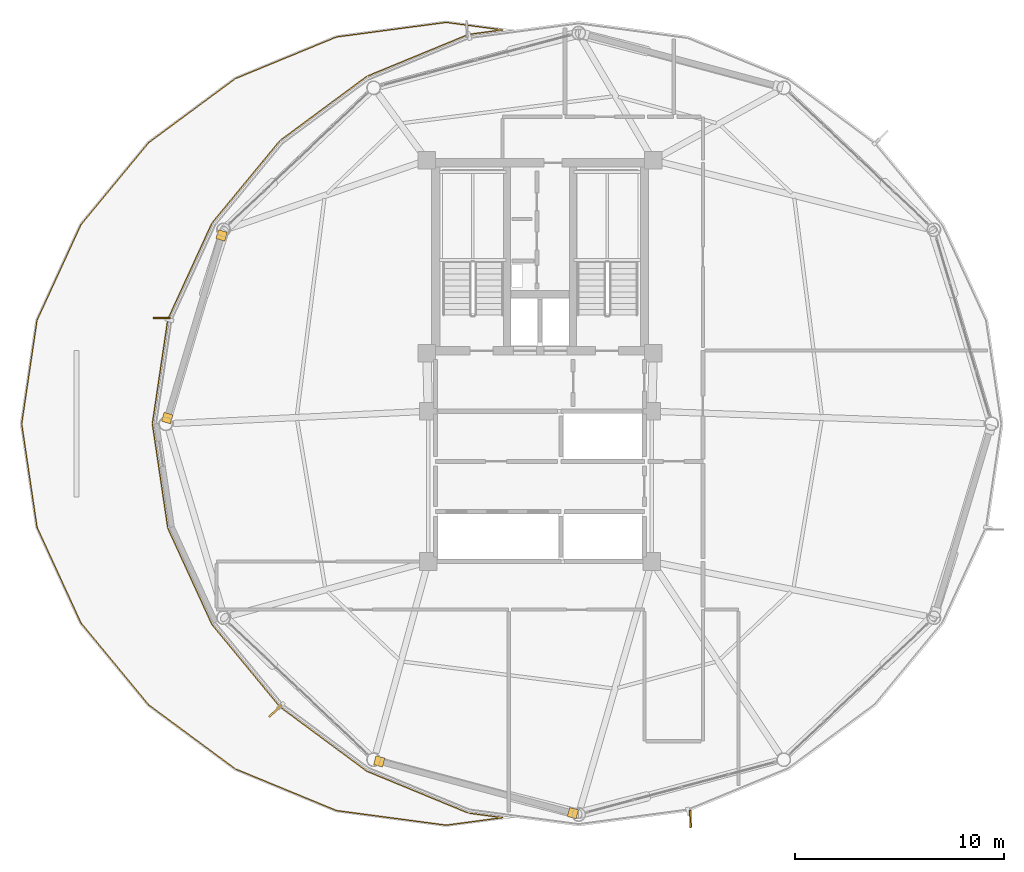
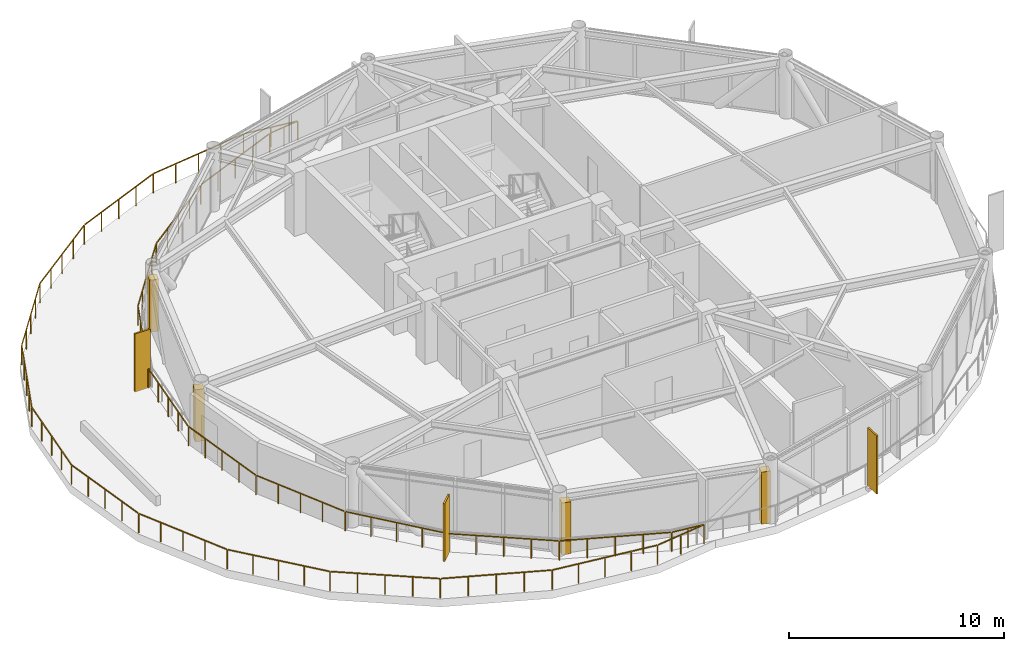
# One storey, part 22 of 25: 4 coverings, 3 shading devices, 1 railing.
"""IFC4 building model written with IfcOpenShell, lengths in metres."""

from ifc_helpers import new_model, si_unit, direction, frame, origin, origin_2d, place, context, subcontext, project, spatial, rectangle, extrude, source, transform, mapped, material, layer, layer_set, type_object, type_shapes, element, save


model = new_model("IFC4")

# Units and contexts
model_context = context("Model", 3, precision=1e-05, world=origin(), true_north=direction((0.0, 1.0)))
body_context = subcontext(model_context, "Body", "Model", "MODEL_VIEW")
ifc_project = project(units=[si_unit("LENGTHUNIT", "METRE"), si_unit("AREAUNIT", "SQUARE_METRE"), si_unit("VOLUMEUNIT", "CUBIC_METRE"), si_unit("PLANEANGLEUNIT", "RADIAN"), si_unit("MASSUNIT", "GRAM", prefix="KILO")], contexts=[model_context])

# Site, building, storey
site_placement = place(None, origin())
site = spatial("IfcSite", under=ifc_project, at=site_placement, CompositionType="ELEMENT")
building_placement = place(site_placement, origin())
building = spatial("IfcBuilding", under=site, at=building_placement, Name="Varnakorn Sky Granary", CompositionType="ELEMENT")
storey_placement = place(building_placement, frame((0.0, 0.0, 178.800048828125)))
storey = spatial("IfcBuildingStorey", under=building, at=storey_placement, Name="L44", CompositionType="ELEMENT", Elevation=178.800048828125)

# Railing
ifc_material = material(Name="Anodised Bronze Aluminium Alloy 6063-T6", Category="aluminium")
railing_type = type_object("IfcRailingType", Name="RL-BAL-1120", PredefinedType="BALUSTRADE", material=ifc_material)
railing_placement = place(storey_placement, frame((-1.5, -19.21923828125, 0.0)))
element("IfcRailing", 1, at=railing_placement, inside=storey, type_object=railing_type, Name="Shifted-Drum Sky-Garden Guard Balustrade L44", PredefinedType="BALUSTRADE", context=body_context, shape_type="SweptSolid", body=[
    extrude(rectangle(XDim=0.048095703125, YDim=0.048095703125, at=origin_2d()), frame((-0.02783203125, 0.003662109375, 1.09619140625), z_axis=(-0.991263309546, 0.131897881516, 0.0), x_axis=(-0.131897881516, -0.991263309546, 0.0)), (0.0, 0.0, 1.0), 5.23779296875),
    extrude(rectangle(XDim=0.048095703125, YDim=0.048095703125, at=origin_2d()), frame((-5.2734375, 0.708984375, 1.09619140625), z_axis=(-0.924764922521, 0.380538878532, 0.0), x_axis=(-0.380538878532, -0.924764922521, 0.0)), (0.0, 0.0, 1.0), 5.18359375),
    extrude(rectangle(XDim=0.048095703125, YDim=0.048095703125, at=origin_2d()), frame((-10.115478515625, 2.708740234375, 1.09619140625), z_axis=(-0.80427841509, 0.594252665977, 0.0), x_axis=(-0.594252665977, -0.80427841509, 0.0)), (0.0, 0.0, 1.0), 5.102783203125),
    extrude(rectangle(XDim=0.048095703125, YDim=0.048095703125, at=origin_2d()), frame((-14.260009765625, 5.779296875, 1.09619140625), z_axis=(-0.636845477027, 0.770991464538, 0.0), x_axis=(-0.770991464538, -0.636845477027, 0.0)), (0.0, 0.0, 1.0), 5.03076171875),
    extrude(rectangle(XDim=0.048095703125, YDim=0.048095703125, at=origin_2d()), frame((-17.493408203125, 9.705078125, 1.09619140625), z_axis=(-0.417253609844, 0.908790088564, 0.0), x_axis=(-0.908790088564, -0.417253609844, 0.0)), (0.0, 0.0, 1.0), 4.982421875),
    extrude(rectangle(XDim=0.048095703125, YDim=0.048095703125, at=origin_2d()), frame((-19.588134765625, 14.2861328125, 1.09619140625), z_axis=(-0.146585712647, 0.989197972525, 0.0), x_axis=(-0.989197972525, -0.146585712647, 0.0)), (0.0, 0.0, 1.0), 4.958984375),
    extrude(rectangle(XDim=0.048095703125, YDim=0.048095703125, at=origin_2d()), frame((-20.31494140625, 19.246826171875, 1.09619140625), z_axis=(0.146585712647, 0.989197972525, 0.0), x_axis=(-0.989197972525, 0.146585712647, 0.0)), (0.0, 0.0, 1.0), 4.958984375),
    extrude(rectangle(XDim=0.048095703125, YDim=0.048095703125, at=origin_2d()), frame((-19.572265625, 24.205322265625, 1.09619140625), z_axis=(0.417253609844, 0.908790088564, 0.0), x_axis=(-0.908790088564, 0.417253609844, 0.0)), (0.0, 0.0, 1.0), 4.982421875),
    extrude(rectangle(XDim=0.048095703125, YDim=0.048095703125, at=origin_2d()), frame((-17.4638671875, 28.7802734375, 1.09619140625), z_axis=(0.636845477027, 0.770991464538, 0.0), x_axis=(-0.770991464538, 0.636845477027, 0.0)), (0.0, 0.0, 1.0), 5.03076171875),
    extrude(rectangle(XDim=0.048095703125, YDim=0.048095703125, at=origin_2d()), frame((-14.2197265625, 32.697265625, 1.09619140625), z_axis=(0.80427841509, 0.594252665977, 0.0), x_axis=(-0.594252665977, 0.80427841509, 0.0)), (0.0, 0.0, 1.0), 5.102783203125),
    extrude(rectangle(XDim=0.048095703125, YDim=0.048095703125, at=origin_2d()), frame((-10.067138671875, 35.757080078125, 1.09619140625), z_axis=(0.924764922521, 0.380538878532, 0.0), x_axis=(-0.380538878532, 0.924764922521, 0.0)), (0.0, 0.0, 1.0), 5.18359375),
    extrude(rectangle(XDim=0.048095703125, YDim=0.048095703125, at=origin_2d()), frame((-5.2197265625, 37.743896484375, 1.09619140625), z_axis=(0.991263309546, 0.131897881516, 0.0), x_axis=(-0.131897881516, 0.991263309546, 0.0)), (0.0, 0.0, 1.0), 5.23779296875),
    extrude(rectangle(XDim=0.048095703125, YDim=0.048095703125, at=origin_2d()), frame((0.02783203125, 38.434814453125, 1.09619140625), z_axis=(0.991264665314, -0.131887691993, 0.0), x_axis=(0.131887691993, 0.991264665314, 0.0)), (0.0, 0.0, 1.0), 2.6669921875),
    extrude(rectangle(XDim=0.048095703125, YDim=0.048095703125, at=origin_2d()), frame((2.67138671875, 38.07568359375, 1.09619140625), z_axis=(-0.991239707251, -0.13207514062, 0.0), x_axis=(0.13207514062, -0.991239707251, 0.0)), (0.0, 0.0, 1.0), 1.56884765625),
    extrude(rectangle(XDim=0.048095703125, YDim=0.048095703125, at=origin_2d()), frame((1.04296875, 37.8486328125, 1.09619140625), z_axis=(-0.924537253966, -0.381091676674, 0.0), x_axis=(0.381091676674, -0.924537253966, 0.0)), (0.0, 0.0, 1.0), 5.1875),
    extrude(rectangle(XDim=0.048095703125, YDim=0.048095703125, at=origin_2d()), frame((-3.818603515625, 35.834716796875, 1.09619140625), z_axis=(-0.803824266786, -0.594866832263, 0.0), x_axis=(0.594866832263, -0.803824266786, 0.0)), (0.0, 0.0, 1.0), 5.108154296875),
    extrude(rectangle(XDim=0.048095703125, YDim=0.048095703125, at=origin_2d()), frame((-7.97900390625, 32.744384765625, 1.09619140625), z_axis=(-0.636301686094, -0.771440318025, 0.0), x_axis=(0.771440318025, -0.636301686094, 0.0)), (0.0, 0.0, 1.0), 5.03857421875),
    extrude(rectangle(XDim=0.048095703125, YDim=0.048095703125, at=origin_2d()), frame((-11.2255859375, 28.792724609375, 1.09619140625), z_axis=(-0.416714635196, -0.909037355015, 0.0), x_axis=(0.909037355015, -0.416714635196, 0.0)), (0.0, 0.0, 1.0), 4.994140625),
    extrude(rectangle(XDim=0.048095703125, YDim=0.048095703125, at=origin_2d()), frame((-13.328857421875, 24.17822265625, 1.09619140625), z_axis=(-0.146414946281, -0.98922326272, 0.0), x_axis=(0.98922326272, -0.146414946281, 0.0)), (0.0, 0.0, 1.0), 4.97314453125),
    extrude(rectangle(XDim=0.048095703125, YDim=0.048095703125, at=origin_2d()), frame((-14.056884765625, 19.179931640625, 1.09619140625), z_axis=(0.146414946281, -0.98922326272, 0.0), x_axis=(0.98922326272, 0.146414946281, 0.0)), (0.0, 0.0, 1.0), 4.97314453125),
    extrude(rectangle(XDim=0.048095703125, YDim=0.048095703125, at=origin_2d()), frame((-13.306640625, 14.185791015625, 1.09619140625), z_axis=(0.416714635196, -0.909037355015, 0.0), x_axis=(0.909037355015, 0.416714635196, 0.0)), (0.0, 0.0, 1.0), 4.994140625),
    extrude(rectangle(XDim=0.048095703125, YDim=0.048095703125, at=origin_2d()), frame((-11.18505859375, 9.581298828125, 1.09619140625), z_axis=(0.636301686094, -0.771440318025, 0.0), x_axis=(0.771440318025, 0.636301686094, 0.0)), (0.0, 0.0, 1.0), 5.03857421875),
    extrude(rectangle(XDim=0.048095703125, YDim=0.048095703125, at=origin_2d()), frame((-7.9248046875, 5.642578125, 1.09619140625), z_axis=(0.803824266786, -0.594866832263, 0.0), x_axis=(0.594866832263, 0.803824266786, 0.0)), (0.0, 0.0, 1.0), 5.108154296875),
    extrude(rectangle(XDim=0.048095703125, YDim=0.048095703125, at=origin_2d()), frame((-3.753173828125, 2.566650390625, 1.09619140625), z_axis=(0.924537253966, -0.381091676674, 0.0), x_axis=(0.381091676674, 0.924537253966, 0.0)), (0.0, 0.0, 1.0), 5.1875),
    extrude(rectangle(XDim=0.048095703125, YDim=0.048095703125, at=origin_2d()), frame((1.116455078125, 0.570068359375, 1.09619140625), z_axis=(0.991239707251, -0.13207514062, 0.0), x_axis=(0.13207514062, 0.991239707251, 0.0)), (0.0, 0.0, 1.0), 1.56884765625),
    extrude(rectangle(XDim=0.048095703125, YDim=0.048095703125, at=origin_2d()), frame((2.67138671875, 0.35546875, 1.09619140625), z_axis=(-0.991264665314, -0.131887691993, 0.0), x_axis=(0.131887691993, -0.991264665314, 0.0)), (0.0, 0.0, 1.0), 2.6669921875),
    extrude(rectangle(XDim=0.0419921875, YDim=0.0419921875, at=origin_2d()), origin(), (0.0, 0.0, 1.0), 1.068115234375),
    extrude(rectangle(XDim=0.0419921875, YDim=0.0419921875, at=origin_2d()), frame((-1.31201171875, 0.174560546875, 0.0)), (0.0, 0.0, 1.0), 1.068115234375),
    extrude(rectangle(XDim=0.0419921875, YDim=0.0419921875, at=origin_2d()), frame((-2.623779296875, 0.34912109375, 0.0)), (0.0, 0.0, 1.0), 1.068115234375),
    extrude(rectangle(XDim=0.0419921875, YDim=0.0419921875, at=origin_2d()), frame((-3.935546875, 0.523681640625, 0.0)), (0.0, 0.0, 1.0), 1.068115234375),
    extrude(rectangle(XDim=0.0419921875, YDim=0.0419921875, at=origin_2d()), frame((-5.24755859375, 0.6982421875, 0.0)), (0.0, 0.0, 1.0), 1.068115234375),
    extrude(rectangle(XDim=0.0419921875, YDim=0.0419921875, at=origin_2d()), frame((-6.458984375, 1.19677734375, 0.0)), (0.0, 0.0, 1.0), 1.068115234375),
    extrude(rectangle(XDim=0.0419921875, YDim=0.0419921875, at=origin_2d()), frame((-7.67041015625, 1.6953125, 0.0)), (0.0, 0.0, 1.0), 1.068115234375),
    extrude(rectangle(XDim=0.0419921875, YDim=0.0419921875, at=origin_2d()), frame((-8.881591796875, 2.193603515625, 0.0)), (0.0, 0.0, 1.0), 1.068115234375),
    extrude(rectangle(XDim=0.0419921875, YDim=0.0419921875, at=origin_2d()), frame((-10.093017578125, 2.692138671875, 0.0)), (0.0, 0.0, 1.0), 1.068115234375),
    extrude(rectangle(XDim=0.0419921875, YDim=0.0419921875, at=origin_2d()), frame((-11.13037109375, 3.45849609375, 0.0)), (0.0, 0.0, 1.0), 1.068115234375),
    extrude(rectangle(XDim=0.0419921875, YDim=0.0419921875, at=origin_2d()), frame((-12.16748046875, 4.22509765625, 0.0)), (0.0, 0.0, 1.0), 1.068115234375),
    extrude(rectangle(XDim=0.0419921875, YDim=0.0419921875, at=origin_2d()), frame((-13.204833984375, 4.991455078125, 0.0)), (0.0, 0.0, 1.0), 1.068115234375),
    extrude(rectangle(XDim=0.0419921875, YDim=0.0419921875, at=origin_2d()), frame((-14.2421875, 5.7578125, 0.0)), (0.0, 0.0, 1.0), 1.068115234375),
    extrude(rectangle(XDim=0.0419921875, YDim=0.0419921875, at=origin_2d()), frame((-15.052001953125, 6.73828125, 0.0)), (0.0, 0.0, 1.0), 1.068115234375),
    extrude(rectangle(XDim=0.0419921875, YDim=0.0419921875, at=origin_2d()), frame((-15.86181640625, 7.71875, 0.0)), (0.0, 0.0, 1.0), 1.068115234375),
    extrude(rectangle(XDim=0.0419921875, YDim=0.0419921875, at=origin_2d()), frame((-16.671875, 8.69921875, 0.0)), (0.0, 0.0, 1.0), 1.068115234375),
    extrude(rectangle(XDim=0.0419921875, YDim=0.0419921875, at=origin_2d()), frame((-17.481689453125, 9.6796875, 0.0)), (0.0, 0.0, 1.0), 1.068115234375),
    extrude(rectangle(XDim=0.0419921875, YDim=0.0419921875, at=origin_2d()), frame((-18.00732421875, 10.824462890625, 0.0)), (0.0, 0.0, 1.0), 1.068115234375),
    extrude(rectangle(XDim=0.0419921875, YDim=0.0419921875, at=origin_2d()), frame((-18.53271484375, 11.96923828125, 0.0)), (0.0, 0.0, 1.0), 1.068115234375),
    extrude(rectangle(XDim=0.0419921875, YDim=0.0419921875, at=origin_2d()), frame((-19.058349609375, 13.11376953125, 0.0)), (0.0, 0.0, 1.0), 1.068115234375),
    extrude(rectangle(XDim=0.0419921875, YDim=0.0419921875, at=origin_2d()), frame((-19.583984375, 14.258544921875, 0.0)), (0.0, 0.0, 1.0), 1.068115234375),
    extrude(rectangle(XDim=0.0419921875, YDim=0.0419921875, at=origin_2d()), frame((-19.767822265625, 15.498779296875, 0.0)), (0.0, 0.0, 1.0), 1.068115234375),
    extrude(rectangle(XDim=0.0419921875, YDim=0.0419921875, at=origin_2d()), frame((-19.95166015625, 16.73876953125, 0.0)), (0.0, 0.0, 1.0), 1.068115234375),
    extrude(rectangle(XDim=0.0419921875, YDim=0.0419921875, at=origin_2d()), frame((-20.13525390625, 17.97900390625, 0.0)), (0.0, 0.0, 1.0), 1.068115234375),
    extrude(rectangle(XDim=0.0419921875, YDim=0.0419921875, at=origin_2d()), frame((-20.319091796875, 19.21923828125, 0.0)), (0.0, 0.0, 1.0), 1.068115234375),
    extrude(rectangle(XDim=0.0419921875, YDim=0.0419921875, at=origin_2d()), frame((-20.13525390625, 20.45947265625, 0.0)), (0.0, 0.0, 1.0), 1.068115234375),
    extrude(rectangle(XDim=0.0419921875, YDim=0.0419921875, at=origin_2d()), frame((-19.95166015625, 21.69970703125, 0.0)), (0.0, 0.0, 1.0), 1.068115234375),
    extrude(rectangle(XDim=0.0419921875, YDim=0.0419921875, at=origin_2d()), frame((-19.767822265625, 22.939697265625, 0.0)), (0.0, 0.0, 1.0), 1.068115234375),
    extrude(rectangle(XDim=0.0419921875, YDim=0.0419921875, at=origin_2d()), frame((-19.583984375, 24.179931640625, 0.0)), (0.0, 0.0, 1.0), 1.068115234375),
    extrude(rectangle(XDim=0.0419921875, YDim=0.0419921875, at=origin_2d()), frame((-19.058349609375, 25.32470703125, 0.0)), (0.0, 0.0, 1.0), 1.068115234375),
    extrude(rectangle(XDim=0.0419921875, YDim=0.0419921875, at=origin_2d()), frame((-18.53271484375, 26.46923828125, 0.0)), (0.0, 0.0, 1.0), 1.068115234375),
    extrude(rectangle(XDim=0.0419921875, YDim=0.0419921875, at=origin_2d()), frame((-18.00732421875, 27.614013671875, 0.0)), (0.0, 0.0, 1.0), 1.068115234375),
    extrude(rectangle(XDim=0.0419921875, YDim=0.0419921875, at=origin_2d()), frame((-17.481689453125, 28.7587890625, 0.0)), (0.0, 0.0, 1.0), 1.068115234375),
    extrude(rectangle(XDim=0.0419921875, YDim=0.0419921875, at=origin_2d()), frame((-16.671875, 29.7392578125, 0.0)), (0.0, 0.0, 1.0), 1.068115234375),
    extrude(rectangle(XDim=0.0419921875, YDim=0.0419921875, at=origin_2d()), frame((-15.86181640625, 30.7197265625, 0.0)), (0.0, 0.0, 1.0), 1.068115234375),
    extrude(rectangle(XDim=0.0419921875, YDim=0.0419921875, at=origin_2d()), frame((-15.052001953125, 31.7001953125, 0.0)), (0.0, 0.0, 1.0), 1.068115234375),
    extrude(rectangle(XDim=0.0419921875, YDim=0.0419921875, at=origin_2d()), frame((-14.2421875, 32.6806640625, 0.0)), (0.0, 0.0, 1.0), 1.068115234375),
    extrude(rectangle(XDim=0.0419921875, YDim=0.0419921875, at=origin_2d()), frame((-13.204833984375, 33.447021484375, 0.0)), (0.0, 0.0, 1.0), 1.068115234375),
    extrude(rectangle(XDim=0.0419921875, YDim=0.0419921875, at=origin_2d()), frame((-12.16748046875, 34.21337890625, 0.0)), (0.0, 0.0, 1.0), 1.068115234375),
    extrude(rectangle(XDim=0.0419921875, YDim=0.0419921875, at=origin_2d()), frame((-11.13037109375, 34.97998046875, 0.0)), (0.0, 0.0, 1.0), 1.068115234375),
    extrude(rectangle(XDim=0.0419921875, YDim=0.0419921875, at=origin_2d()), frame((-10.093017578125, 35.746337890625, 0.0)), (0.0, 0.0, 1.0), 1.068115234375),
    extrude(rectangle(XDim=0.0419921875, YDim=0.0419921875, at=origin_2d()), frame((-8.881591796875, 36.244873046875, 0.0)), (0.0, 0.0, 1.0), 1.068115234375),
    extrude(rectangle(XDim=0.0419921875, YDim=0.0419921875, at=origin_2d()), frame((-7.67041015625, 36.7431640625, 0.0)), (0.0, 0.0, 1.0), 1.068115234375),
    extrude(rectangle(XDim=0.0419921875, YDim=0.0419921875, at=origin_2d()), frame((-6.458984375, 37.24169921875, 0.0)), (0.0, 0.0, 1.0), 1.068115234375),
    extrude(rectangle(XDim=0.0419921875, YDim=0.0419921875, at=origin_2d()), frame((-5.24755859375, 37.740234375, 0.0)), (0.0, 0.0, 1.0), 1.068115234375),
    extrude(rectangle(XDim=0.0419921875, YDim=0.0419921875, at=origin_2d()), frame((-3.935546875, 37.914794921875, 0.0)), (0.0, 0.0, 1.0), 1.068115234375),
    extrude(rectangle(XDim=0.0419921875, YDim=0.0419921875, at=origin_2d()), frame((-2.623779296875, 38.08935546875, 0.0)), (0.0, 0.0, 1.0), 1.068115234375),
    extrude(rectangle(XDim=0.0419921875, YDim=0.0419921875, at=origin_2d()), frame((-1.31201171875, 38.263916015625, 0.0)), (0.0, 0.0, 1.0), 1.068115234375),
    extrude(rectangle(XDim=0.0419921875, YDim=0.0419921875, at=origin_2d()), frame((0.0, 38.4384765625, 0.0)), (0.0, 0.0, 1.0), 1.068115234375),
    extrude(rectangle(XDim=0.0419921875, YDim=0.0419921875, at=origin_2d()), frame((1.349609375, 38.2587890625, 0.0)), (0.0, 0.0, 1.0), 1.068115234375),
    extrude(rectangle(XDim=0.0419921875, YDim=0.0419921875, at=origin_2d()), frame((2.69921875, 38.079345703125, 0.0)), (0.0, 0.0, 1.0), 1.068115234375),
    extrude(rectangle(XDim=0.0419921875, YDim=0.0419921875, at=origin_2d()), frame((1.89404296875, 37.97216796875, 0.0)), (0.0, 0.0, 1.0), 1.068115234375),
    extrude(rectangle(XDim=0.0419921875, YDim=0.0419921875, at=origin_2d()), frame((1.06884765625, 37.859375, 0.0)), (0.0, 0.0, 1.0), 1.068115234375),
    extrude(rectangle(XDim=0.0419921875, YDim=0.0419921875, at=origin_2d()), frame((-0.14306640625, 37.35986328125, 0.0)), (0.0, 0.0, 1.0), 1.068115234375),
    extrude(rectangle(XDim=0.0419921875, YDim=0.0419921875, at=origin_2d()), frame((-1.35498046875, 36.8603515625, 0.0)), (0.0, 0.0, 1.0), 1.068115234375),
    extrude(rectangle(XDim=0.0419921875, YDim=0.0419921875, at=origin_2d()), frame((-2.567138671875, 36.360595703125, 0.0)), (0.0, 0.0, 1.0), 1.068115234375),
    extrude(rectangle(XDim=0.0419921875, YDim=0.0419921875, at=origin_2d()), frame((-3.796142578125, 35.851318359375, 0.0)), (0.0, 0.0, 1.0), 1.068115234375),
    extrude(rectangle(XDim=0.0419921875, YDim=0.0419921875, at=origin_2d()), frame((-4.833984375, 35.083251953125, 0.0)), (0.0, 0.0, 1.0), 1.068115234375),
    extrude(rectangle(XDim=0.0419921875, YDim=0.0419921875, at=origin_2d()), frame((-5.87158203125, 34.3154296875, 0.0)), (0.0, 0.0, 1.0), 1.068115234375),
    extrude(rectangle(XDim=0.0419921875, YDim=0.0419921875, at=origin_2d()), frame((-6.909423828125, 33.54736328125, 0.0)), (0.0, 0.0, 1.0), 1.068115234375),
    extrude(rectangle(XDim=0.0419921875, YDim=0.0419921875, at=origin_2d()), frame((-7.961181640625, 32.765869140625, 0.0)), (0.0, 0.0, 1.0), 1.068115234375),
    extrude(rectangle(XDim=0.0419921875, YDim=0.0419921875, at=origin_2d()), frame((-8.771484375, 31.783203125, 0.0)), (0.0, 0.0, 1.0), 1.068115234375),
    extrude(rectangle(XDim=0.0419921875, YDim=0.0419921875, at=origin_2d()), frame((-9.58203125, 30.80078125, 0.0)), (0.0, 0.0, 1.0), 1.068115234375),
    extrude(rectangle(XDim=0.0419921875, YDim=0.0419921875, at=origin_2d()), frame((-10.392578125, 29.818359375, 0.0)), (0.0, 0.0, 1.0), 1.068115234375),
    extrude(rectangle(XDim=0.0419921875, YDim=0.0419921875, at=origin_2d()), frame((-11.2138671875, 28.818115234375, 0.0)), (0.0, 0.0, 1.0), 1.068115234375),
    extrude(rectangle(XDim=0.0419921875, YDim=0.0419921875, at=origin_2d()), frame((-11.739990234375, 27.67041015625, 0.0)), (0.0, 0.0, 1.0), 1.068115234375),
    extrude(rectangle(XDim=0.0419921875, YDim=0.0419921875, at=origin_2d()), frame((-12.26611328125, 26.522705078125, 0.0)), (0.0, 0.0, 1.0), 1.068115234375),
    extrude(rectangle(XDim=0.0419921875, YDim=0.0419921875, at=origin_2d()), frame((-12.792236328125, 25.375, 0.0)), (0.0, 0.0, 1.0), 1.068115234375),
    extrude(rectangle(XDim=0.0419921875, YDim=0.0419921875, at=origin_2d()), frame((-13.32470703125, 24.205810546875, 0.0)), (0.0, 0.0, 1.0), 1.068115234375),
    extrude(rectangle(XDim=0.0419921875, YDim=0.0419921875, at=origin_2d()), frame((-13.5087890625, 22.962158203125, 0.0)), (0.0, 0.0, 1.0), 1.068115234375),
    extrude(rectangle(XDim=0.0419921875, YDim=0.0419921875, at=origin_2d()), frame((-13.69287109375, 21.71826171875, 0.0)), (0.0, 0.0, 1.0), 1.068115234375),
    extrude(rectangle(XDim=0.0419921875, YDim=0.0419921875, at=origin_2d()), frame((-13.876953125, 20.474609375, 0.0)), (0.0, 0.0, 1.0), 1.068115234375),
    extrude(rectangle(XDim=0.0419921875, YDim=0.0419921875, at=origin_2d()), frame((-14.06103515625, 19.20751953125, 0.0)), (0.0, 0.0, 1.0), 1.068115234375),
    extrude(rectangle(XDim=0.0419921875, YDim=0.0419921875, at=origin_2d()), frame((-13.876953125, 17.9638671875, 0.0)), (0.0, 0.0, 1.0), 1.068115234375),
    extrude(rectangle(XDim=0.0419921875, YDim=0.0419921875, at=origin_2d()), frame((-13.69287109375, 16.72021484375, 0.0)), (0.0, 0.0, 1.0), 1.068115234375),
    extrude(rectangle(XDim=0.0419921875, YDim=0.0419921875, at=origin_2d()), frame((-13.5087890625, 15.476318359375, 0.0)), (0.0, 0.0, 1.0), 1.068115234375),
    extrude(rectangle(XDim=0.0419921875, YDim=0.0419921875, at=origin_2d()), frame((-13.318359375, 14.211181640625, 0.0)), (0.0, 0.0, 1.0), 1.068115234375),
    extrude(rectangle(XDim=0.0419921875, YDim=0.0419921875, at=origin_2d()), frame((-12.792236328125, 13.0634765625, 0.0)), (0.0, 0.0, 1.0), 1.068115234375),
    extrude(rectangle(XDim=0.0419921875, YDim=0.0419921875, at=origin_2d()), frame((-12.26611328125, 11.915771484375, 0.0)), (0.0, 0.0, 1.0), 1.068115234375),
    extrude(rectangle(XDim=0.0419921875, YDim=0.0419921875, at=origin_2d()), frame((-11.739990234375, 10.76806640625, 0.0)), (0.0, 0.0, 1.0), 1.068115234375),
    extrude(rectangle(XDim=0.0419921875, YDim=0.0419921875, at=origin_2d()), frame((-11.202880859375, 9.602783203125, 0.0)), (0.0, 0.0, 1.0), 1.068115234375),
    extrude(rectangle(XDim=0.0419921875, YDim=0.0419921875, at=origin_2d()), frame((-10.392578125, 8.6201171875, 0.0)), (0.0, 0.0, 1.0), 1.068115234375),
    extrude(rectangle(XDim=0.0419921875, YDim=0.0419921875, at=origin_2d()), frame((-9.58203125, 7.6376953125, 0.0)), (0.0, 0.0, 1.0), 1.068115234375),
    extrude(rectangle(XDim=0.0419921875, YDim=0.0419921875, at=origin_2d()), frame((-8.771484375, 6.6552734375, 0.0)), (0.0, 0.0, 1.0), 1.068115234375),
    extrude(rectangle(XDim=0.0419921875, YDim=0.0419921875, at=origin_2d()), frame((-7.947265625, 5.6591796875, 0.0)), (0.0, 0.0, 1.0), 1.068115234375),
    extrude(rectangle(XDim=0.0419921875, YDim=0.0419921875, at=origin_2d()), frame((-6.909423828125, 4.89111328125, 0.0)), (0.0, 0.0, 1.0), 1.068115234375),
    extrude(rectangle(XDim=0.0419921875, YDim=0.0419921875, at=origin_2d()), frame((-5.87158203125, 4.123046875, 0.0)), (0.0, 0.0, 1.0), 1.068115234375),
    extrude(rectangle(XDim=0.0419921875, YDim=0.0419921875, at=origin_2d()), frame((-4.833984375, 3.355224609375, 0.0)), (0.0, 0.0, 1.0), 1.068115234375),
    extrude(rectangle(XDim=0.0419921875, YDim=0.0419921875, at=origin_2d()), frame((-3.779052734375, 2.577392578125, 0.0)), (0.0, 0.0, 1.0), 1.068115234375),
    extrude(rectangle(XDim=0.0419921875, YDim=0.0419921875, at=origin_2d()), frame((-2.567138671875, 2.077880859375, 0.0)), (0.0, 0.0, 1.0), 1.068115234375),
    extrude(rectangle(XDim=0.0419921875, YDim=0.0419921875, at=origin_2d()), frame((-1.35498046875, 1.578125, 0.0)), (0.0, 0.0, 1.0), 1.068115234375),
    extrude(rectangle(XDim=0.0419921875, YDim=0.0419921875, at=origin_2d()), frame((-0.14306640625, 1.07861328125, 0.0)), (0.0, 0.0, 1.0), 1.068115234375),
    extrude(rectangle(XDim=0.0419921875, YDim=0.0419921875, at=origin_2d()), frame((1.088623046875, 0.57373046875, 0.0)), (0.0, 0.0, 1.0), 1.068115234375),
    extrude(rectangle(XDim=0.0419921875, YDim=0.0419921875, at=origin_2d()), frame((1.89404296875, 0.46630859375, 0.0)), (0.0, 0.0, 1.0), 1.068115234375),
    extrude(rectangle(XDim=0.0419921875, YDim=0.0419921875, at=origin_2d()), frame((2.69921875, 0.359130859375, 0.0)), (0.0, 0.0, 1.0), 1.068115234375),
    extrude(rectangle(XDim=0.0419921875, YDim=0.0419921875, at=origin_2d()), frame((1.349609375, 0.1796875, 0.0)), (0.0, 0.0, 1.0), 1.068115234375),
])

# Shading devices
shading_device_type = type_object("IfcShadingDeviceType", Name="SH-FIN-02", PredefinedType="USERDEFINED", material=ifc_material)
shared_shape_1 = source(origin(), body_context, "Body", "SweptSolid", [
    extrude(rectangle(XDim=0.0849609375, YDim=0.820068359375, at=origin_2d()), origin(), (0.0, 0.0, 1.0), 3.300048828125),
])
type_shapes(shading_device_type, [shared_shape_1])
for number, where, z_axis, x_axis, name in (
    (2, (-15.104736328125, 5.064208984375, -0.0400390625), (0.0, 0.0, 1.0), (-0.003081237155, -0.999995252978, 0.0), "Bronze Solar-Tracking Vertical Blade FIN L44-06"),
    (3, (-9.670654296875, -13.747802734375, -0.0400390625), (0.0, 0.0, 1.0), (0.698518485802, -0.715592010151, 0.0), "Bronze Solar-Tracking Vertical Blade FIN L44-08"),
    (4, (10.202880859375, -18.921630859375, -0.0400390625), (0.0, 0.0, 1.0), (0.999284388093, 0.037824750003, 0.0), "Bronze Solar-Tracking Vertical Blade FIN L44-10"),
):
    element("IfcShadingDevice", number, at=place(storey_placement, frame(where, z_axis=z_axis, x_axis=x_axis)), inside=storey, type_object=shading_device_type, Name=name, ObjectType="FIN", PredefinedType="USERDEFINED", context=body_context, shape_type="MappedRepresentation", body=[
        mapped(shared_shape_1, transform((0.0, 0.0, 0.0), x_axis=(1.0, 0.0, 0.0), y_axis=(0.0, 1.0, 0.0), z_axis=(0.0, 0.0, 1.0), scale=1.0)),
    ])

# Coverings
ifc_layer = layer(ifc_material, 0.050048828125, Name="Anodised Bronze Aluminium Alloy 6063-T6")
ifc_layer_set = layer_set([ifc_layer], Name="Anodised Bronze Aluminium Alloy 6063-T6")
covering_type = type_object("IfcCoveringType", Name="CV-CLAD-50", PredefinedType="CLADDING", material=ifc_layer_set)
shared_shape_2 = source(origin(), body_context, "Body", "SweptSolid", [
    extrude(rectangle(XDim=0.43994140625, YDim=0.43994140625, at=origin_2d()), origin(), (0.0, 0.0, 1.0), 2.949951171875),
])
type_shapes(covering_type, [shared_shape_2])
for number, where, z_axis, x_axis, name in (
    (5, (-14.8505859375, 0.273193359375, -0.02001953125), (0.0, 0.0, 1.0), (0.285521104212, 0.958372421895, 0.0), "Bronze Corner Pilaster Closure L44-P06-A"),
    (6, (-12.24609375, 9.017333984375, -0.02001953125), (0.0, 0.0, 1.0), (0.285521104212, 0.958372421895, 0.0), "Bronze Corner Pilaster Closure L44-P06-B"),
    (7, (4.57470703125, -18.642333984375, -0.02001953125), (0.0, 0.0, 1.0), (-0.966106280664, 0.258144638645, 0.0), "Bronze Corner Pilaster Closure L44-P09-A"),
    (8, (-4.6982421875, -16.165283203125, -0.02001953125), (0.0, 0.0, 1.0), (-0.966106280664, 0.258144638645, 0.0), "Bronze Corner Pilaster Closure L44-P09-B"),
):
    element("IfcCovering", number, at=place(storey_placement, frame(where, z_axis=z_axis, x_axis=x_axis)), inside=storey, type_object=covering_type, Name=name, PredefinedType="CLADDING", context=body_context, shape_type="MappedRepresentation", body=[
        mapped(shared_shape_2, transform((0.0, 0.0, 0.0), x_axis=(1.0, 0.0, 0.0), y_axis=(0.0, 1.0, 0.0), z_axis=(0.0, 0.0, 1.0), scale=1.0)),
    ])

save(model, "model.ifc")
